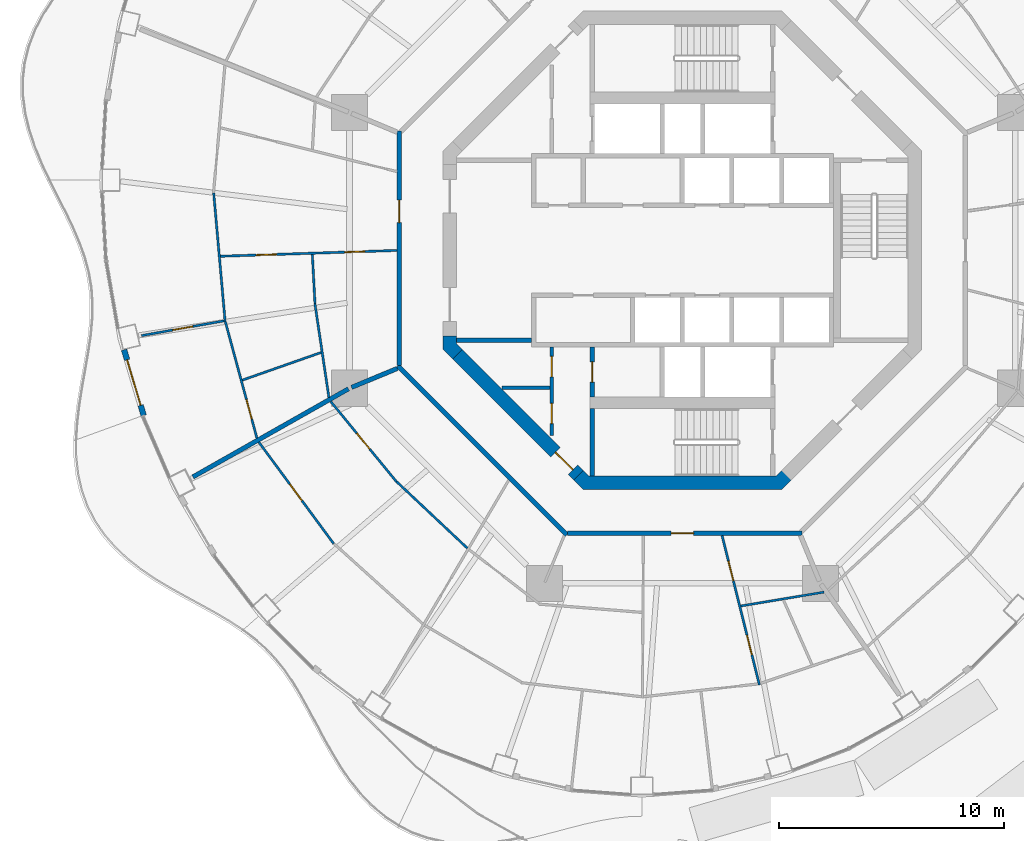
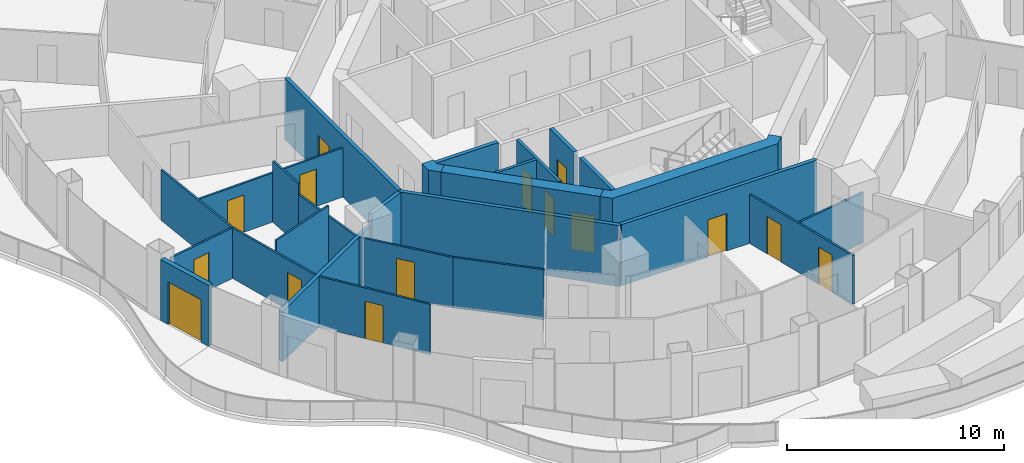
# One storey, part 10 of 18: 26 walls, 15 doors, 15 openings.
"""IFC4 building model written with IfcOpenShell, lengths in metres."""

from ifc_helpers import new_model, si_unit, direction, frame, frame_2d, origin, place, context, subcontext, project, spatial, polyline, rectangle, outline, extrude, material, layer, layer_set, type_object, element, fill, save


model = new_model("IFC4")

# Units and contexts
model_context = context("Model", 3, precision=1e-05, world=origin(), true_north=direction((0.0, 1.0)))
body_context = subcontext(model_context, "Body", "Model", "MODEL_VIEW")
ifc_project = project(units=[si_unit("LENGTHUNIT", "METRE"), si_unit("AREAUNIT", "SQUARE_METRE"), si_unit("VOLUMEUNIT", "CUBIC_METRE"), si_unit("PLANEANGLEUNIT", "RADIAN"), si_unit("MASSUNIT", "GRAM", prefix="KILO")], contexts=[model_context])

# Site, building, storey
site_placement = place(None, origin())
site = spatial("IfcSite", under=ifc_project, at=site_placement, CompositionType="ELEMENT")
building_placement = place(site_placement, origin())
building = spatial("IfcBuilding", under=site, at=building_placement, Name="Nagisa Residences", CompositionType="ELEMENT")
storey_placement = place(building_placement, frame((0.0, 0.0, 212.199951171875)))
storey = spatial("IfcBuildingStorey", under=building, at=storey_placement, Name="L53", CompositionType="ELEMENT", Elevation=212.199951171875)

# Walls
ifc_material_1 = material(Name="Gypsum board on steel studs", Category="steel")
ifc_layer_1 = layer(ifc_material_1, 0.199951171875)
ifc_layer_set_1 = layer_set([ifc_layer_1], Name="Apartment compartment wall EI60 200")
wall_type_1 = type_object("IfcWallType", Name="Apartment compartment wall EI60 200", PredefinedType="PARTITIONING", material=ifc_layer_set_1)
wall_1_placement = place(storey_placement, frame((-12.6572265625, -5.24267578125, 0.0), z_axis=(0.0, 0.0, 1.0), x_axis=(-0.923859888513, -0.38273085373, 0.0)))
element("IfcWall", 1, at=wall_1_placement, inside=storey, type_object=wall_type_1, Name="wall:L53:u04", PredefinedType="PARTITIONING", context=body_context, shape_type="SweptSolid", body=[
    extrude(rectangle(XDim=2.199462890625, YDim=0.199951171875, at=frame_2d((1.099609375, 0.0))), origin(), (0.0, 0.0, 1.0), 3.43994140625),
])
wall_2_placement = place(storey_placement, frame((-14.825439453125, -6.147705078125, 0.0), z_axis=(0.0, 0.0, 1.0), x_axis=(-0.870099576105, -0.492875975944, 0.0)))
element("IfcWall", 2, at=wall_2_placement, inside=storey, type_object=wall_type_1, Name="wall:L53:u05", PredefinedType="PARTITIONING", context=body_context, shape_type="SweptSolid", body=[
    extrude(rectangle(XDim=7.937255859375, YDim=0.199951171875, at=frame_2d((3.96875, 0.0))), origin(), (0.0, 0.0, 1.0), 2.837158203125),
])

# Wall, opening, door
ifc_material_2 = material(Name="Gypsum board on steel studs", Category="steel")
ifc_layer_2 = layer(ifc_material_2, 0.199951171875)
ifc_layer_set_2 = layer_set([ifc_layer_2], Name="Apartment entry wall EI60 200")
wall_type_2 = type_object("IfcWallType", Name="Apartment entry wall EI60 200", PredefinedType="PARTITIONING", material=ifc_layer_set_2)
wall_3_placement = place(storey_placement, frame((-12.564697265625, 5.304443359375, 0.0), z_axis=(0.0, 0.0, 1.0), x_axis=(0.0, -1.0, 0.0)))
wall_3 = element("IfcWall", 3, at=wall_3_placement, inside=storey, type_object=wall_type_2, Name="wall:L53:u12", PredefinedType="PARTITIONING", context=body_context, shape_type="SweptSolid", body=[
    extrude(rectangle(XDim=10.408935546875, YDim=0.199951171875, at=frame_2d((5.20458984375, 0.0))), origin(), (0.0, 0.0, 1.0), 3.43994140625),
])
opening_1_placement = place(wall_3_placement, frame((3.069580078125, 0.0, 0.0)))
opening_1 = element("IfcOpeningElement", 4, at=opening_1_placement, cuts=wall_3, Name="Opening L53-U20", PredefinedType="OPENING", context=body_context, shape_type="SweptSolid", body=[
    extrude(rectangle(XDim=1.0, YDim=2.10009765625, at=frame_2d((0.5, 1.050048828125))), frame((0.0, 0.10986328125, 0.0), z_axis=(0.0, -1.0, 0.0), x_axis=(1.0, 0.0, 0.0)), (0.0, 0.0, 1.0), 0.219970703125),
])
ifc_material_3 = material(Name="Timber fire door set", Category="wood")
door_type_1 = type_object("IfcDoorType", Name="Apartment entry door FD30S 1000x2100", OperationType="NOTDEFINED", PredefinedType="DOOR", material=ifc_material_3)
door_1_placement = place(opening_1_placement, frame((1.0, 0.0, 0.0), x_axis=(-1.0, 0.0, 0.0)))
door_1 = element("IfcDoor", 5, at=door_1_placement, inside=storey, type_object=door_type_1, Name="Entry door, Apartment 53B", OperationType="SINGLE_SWING_LEFT", OverallHeight=2.10009765625, OverallWidth=1.0, PredefinedType="DOOR", context=body_context, shape_type="SweptSolid", body=[
    extrude(rectangle(XDim=1.0, YDim=2.10009765625, at=frame_2d((0.5, 1.050048828125))), frame((0.0, 0.02490234375, 0.0), z_axis=(0.0, -1.0, 0.0), x_axis=(1.0, 0.0, 0.0)), (0.0, 0.0, 1.0), 0.050048828125),
])
fill(opening_1, door_1)

# Wall
wall_4_placement = place(storey_placement, frame((-12.635498046875, -5.1337890625, 0.0), z_axis=(0.0, 0.0, 1.0), x_axis=(0.707106781187, -0.707106781187, 0.0)))
element("IfcWall", 6, at=wall_4_placement, inside=storey, type_object=wall_type_2, Name="wall:L53:u13", PredefinedType="PARTITIONING", context=body_context, shape_type="SweptSolid", body=[
    extrude(rectangle(XDim=10.609130859375, YDim=0.199951171875, at=frame_2d((5.3046875, 0.0))), origin(), (0.0, 0.0, 1.0), 3.43994140625),
])

# Wall, opening, door
wall_5_placement = place(storey_placement, frame((-5.1044921875, -12.564697265625, 0.0), z_axis=(0.0, 0.0, 1.0), x_axis=(1.0, 0.0, 0.0)))
wall_5 = element("IfcWall", 7, at=wall_5_placement, inside=storey, type_object=wall_type_2, Name="wall:L53:u14", PredefinedType="PARTITIONING", context=body_context, shape_type="SweptSolid", body=[
    extrude(rectangle(XDim=10.408935546875, YDim=0.199951171875, at=frame_2d((5.20458984375, 0.0))), origin(), (0.0, 0.0, 1.0), 3.43994140625),
])
opening_2_placement = place(wall_5_placement, frame((4.6044921875, 0.0, 0.0)))
opening_2 = element("IfcOpeningElement", 8, at=opening_2_placement, cuts=wall_5, Name="Opening L53-U28", PredefinedType="OPENING", context=body_context, shape_type="SweptSolid", body=[
    extrude(rectangle(XDim=1.0, YDim=2.10009765625, at=frame_2d((0.5, 1.050048828125))), frame((0.0, 0.10986328125, 0.0), z_axis=(0.0, -1.0, 0.0), x_axis=(1.0, 0.0, 0.0)), (0.0, 0.0, 1.0), 0.219970703125),
])
door_2_placement = place(opening_2_placement, frame((1.0, 0.0, 0.0), x_axis=(-1.0, 0.0, 0.0)))
door_2 = element("IfcDoor", 9, at=door_2_placement, inside=storey, type_object=door_type_1, Name="Entry door, Apartment 53C", OperationType="SINGLE_SWING_LEFT", OverallHeight=2.10009765625, OverallWidth=1.0, PredefinedType="DOOR", context=body_context, shape_type="SweptSolid", body=[
    extrude(rectangle(XDim=1.0, YDim=2.10009765625, at=frame_2d((0.5, 1.050048828125))), frame((0.0, 0.02490234375, 0.0), z_axis=(0.0, -1.0, 0.0), x_axis=(1.0, 0.0, 0.0)), (0.0, 0.0, 1.0), 0.050048828125),
])
fill(opening_2, door_2)

# Wall
ifc_material_4 = material(Name="Gypsum board on steel studs", Category="steel")
ifc_layer_3 = layer(ifc_material_4, 0.10009765625)
ifc_layer_set_3 = layer_set([ifc_layer_3], Name="Apartment partition 100")
wall_type_3 = type_object("IfcWallType", Name="Apartment partition 100", PredefinedType="PARTITIONING", material=ifc_layer_set_3)
wall_6_placement = place(storey_placement, frame((-20.8095703125, 2.54248046875, 0.0), z_axis=(0.0, 0.0, 1.0), x_axis=(0.088651453697, -0.996062708748, 0.0)))
element("IfcWall", 10, at=wall_6_placement, inside=storey, type_object=wall_type_3, Name="wall:L53:u57", PredefinedType="PARTITIONING", context=body_context, shape_type="SweptSolid", body=[
    extrude(rectangle(XDim=5.736572265625, YDim=0.10009765625, at=frame_2d((2.8681640625, 0.0))), origin(), (0.0, 0.0, 1.0), 2.837158203125),
])

# Wall, openings, doors
wall_7_placement = place(storey_placement, frame((-12.664794921875, -0.00341796875, 0.0), z_axis=(0.0, 0.0, 1.0), x_axis=(-0.999453263957, -0.033063169315, 0.0)))
wall_7 = element("IfcWall", 11, at=wall_7_placement, inside=storey, type_object=wall_type_3, Name="wall:L53:u58", PredefinedType="PARTITIONING", context=body_context, shape_type="SweptSolid", body=[
    extrude(rectangle(XDim=7.849365234375, YDim=0.10009765625, at=frame_2d((3.9248046875, 0.0))), origin(), (0.0, 0.0, 1.0), 2.761962890625),
])
opening_3_placement = place(wall_7_placement, frame((1.435302734375, 0.0, 0.0)))
opening_3 = element("IfcOpeningElement", 12, at=opening_3_placement, cuts=wall_7, Name="Opening L53-U22", PredefinedType="OPENING", context=body_context, shape_type="SweptSolid", body=[
    extrude(rectangle(XDim=0.89990234375, YDim=2.10009765625, at=frame_2d((0.449951171875, 1.050048828125))), frame((0.0, 0.06005859375, 0.0), z_axis=(0.0, -1.0, 0.0), x_axis=(1.0, 0.0, 0.0)), (0.0, 0.0, 1.0), 0.1201171875),
])
opening_4_placement = place(wall_7_placement, frame((5.360107421875, 0.0, 0.0)))
opening_4 = element("IfcOpeningElement", 13, at=opening_4_placement, cuts=wall_7, Name="Opening L53-U24", PredefinedType="OPENING", context=body_context, shape_type="SweptSolid", body=[
    extrude(rectangle(XDim=0.89990234375, YDim=2.10009765625, at=frame_2d((0.449951171875, 1.050048828125))), frame((0.0, 0.06005859375, 0.0), z_axis=(0.0, -1.0, 0.0), x_axis=(1.0, 0.0, 0.0)), (0.0, 0.0, 1.0), 0.1201171875),
])
ifc_material_5 = material(Name="Timber door set", Category="wood")
door_type_2 = type_object("IfcDoorType", Name="Apartment door 900x2100", OperationType="NOTDEFINED", PredefinedType="DOOR", material=ifc_material_5)
door_3_placement = place(opening_3_placement, origin())
door_3 = element("IfcDoor", 14, at=door_3_placement, inside=storey, type_object=door_type_2, Name="Door to laundry, Apartment 53B", OperationType="SINGLE_SWING_RIGHT", OverallHeight=2.10009765625, OverallWidth=0.89990234375, PredefinedType="DOOR", context=body_context, shape_type="SweptSolid", body=[
    extrude(rectangle(XDim=0.89990234375, YDim=2.10009765625, at=frame_2d((0.449951171875, 1.050048828125))), frame((0.0, 0.02490234375, 0.0), z_axis=(0.0, -1.0, 0.0), x_axis=(1.0, 0.0, 0.0)), (0.0, 0.0, 1.0), 0.050048828125),
])
fill(opening_3, door_3)
door_4_placement = place(opening_4_placement, origin())
door_4 = element("IfcDoor", 15, at=door_4_placement, inside=storey, type_object=door_type_2, Name="Door to kitchen, Apartment 53B", OperationType="SINGLE_SWING_RIGHT", OverallHeight=2.10009765625, OverallWidth=0.89990234375, PredefinedType="DOOR", context=body_context, shape_type="SweptSolid", body=[
    extrude(rectangle(XDim=0.89990234375, YDim=2.10009765625, at=frame_2d((0.449951171875, 1.050048828125))), frame((0.0, 0.02490234375, 0.0), z_axis=(0.0, -1.0, 0.0), x_axis=(1.0, 0.0, 0.0)), (0.0, 0.0, 1.0), 0.050048828125),
])
fill(opening_4, door_4)

# Walls
wall_8_placement = place(storey_placement, frame((-16.4306640625, -0.177978515625, 0.0), z_axis=(0.0, 0.0, 1.0), x_axis=(0.053951127036, -0.998543577362, 0.0)))
element("IfcWall", 16, at=wall_8_placement, inside=storey, type_object=wall_type_3, Name="wall:L53:u59", PredefinedType="PARTITIONING", context=body_context, shape_type="SweptSolid", body=[
    extrude(rectangle(XDim=2.18115234375, YDim=0.10009765625, at=frame_2d((1.090576171875, 0.0))), origin(), (0.0, 0.0, 1.0), 3.43994140625),
])
wall_9_placement = place(storey_placement, frame((-16.317626953125, -2.3564453125, 0.0), z_axis=(0.0, 0.0, 1.0), x_axis=(0.147684413341, -0.989034536331, 0.0)))
element("IfcWall", 17, at=wall_9_placement, inside=storey, type_object=wall_type_3, Name="wall:L53:u60", PredefinedType="PARTITIONING", context=body_context, shape_type="SweptSolid", body=[
    extrude(rectangle(XDim=4.22216796875, YDim=0.10009765625, at=frame_2d((2.111083984375, 0.0))), origin(), (0.0, 0.0, 1.0), 2.837158203125),
])

# Wall, opening, door
wall_10_placement = place(storey_placement, frame((-20.354736328125, -3.13037109375, 0.0), z_axis=(0.0, 0.0, 1.0), x_axis=(-0.984331377639, -0.1763284974, 0.0)))
wall_10 = element("IfcWall", 18, at=wall_10_placement, inside=storey, type_object=wall_type_3, Name="wall:L53:u61", PredefinedType="PARTITIONING", context=body_context, shape_type="SweptSolid", body=[
    extrude(rectangle(XDim=3.72314453125, YDim=0.10009765625, at=frame_2d((1.861572265625, 0.0))), origin(), (0.0, 0.0, 1.0), 2.837158203125),
])
opening_5_placement = place(wall_10_placement, frame((1.41162109375, 0.0, 0.0)))
opening_5 = element("IfcOpeningElement", 19, at=opening_5_placement, cuts=wall_10, Name="Opening L53-U26", PredefinedType="OPENING", context=body_context, shape_type="SweptSolid", body=[
    extrude(rectangle(XDim=0.89990234375, YDim=2.10009765625, at=frame_2d((0.449951171875, 1.050048828125))), frame((0.0, 0.06005859375, 0.0), z_axis=(0.0, -1.0, 0.0), x_axis=(1.0, 0.0, 0.0)), (0.0, 0.0, 1.0), 0.1201171875),
])
door_5_placement = place(opening_5_placement, origin())
door_5 = element("IfcDoor", 20, at=door_5_placement, inside=storey, type_object=door_type_2, Name="Door to bedroom, Apartment 53B", OperationType="SINGLE_SWING_RIGHT", OverallHeight=2.10009765625, OverallWidth=0.89990234375, PredefinedType="DOOR", context=body_context, shape_type="SweptSolid", body=[
    extrude(rectangle(XDim=0.89990234375, YDim=2.10009765625, at=frame_2d((0.449951171875, 1.050048828125))), frame((0.0, 0.02490234375, 0.0), z_axis=(0.0, -1.0, 0.0), x_axis=(1.0, 0.0, 0.0)), (0.0, 0.0, 1.0), 0.050048828125),
])
fill(opening_5, door_5)

wall_11_placement = place(storey_placement, frame((-20.29248046875, -3.169677734375, 0.0), z_axis=(0.0, 0.0, 1.0), x_axis=(0.26187906236, -0.965100697698, 0.0)))
wall_11 = element("IfcWall", 21, at=wall_11_placement, inside=storey, type_object=wall_type_3, Name="wall:L53:u62", PredefinedType="PARTITIONING", context=body_context, shape_type="SweptSolid", body=[
    extrude(rectangle(XDim=5.35595703125, YDim=0.10009765625, at=frame_2d((2.677978515625, 0.0))), origin(), (0.0, 0.0, 1.0), 2.837158203125),
])
opening_6_placement = place(wall_11_placement, frame((3.579345703125, 0.0, 0.0)))
opening_6 = element("IfcOpeningElement", 22, at=opening_6_placement, cuts=wall_11, Name="Opening L53-U27", PredefinedType="OPENING", context=body_context, shape_type="SweptSolid", body=[
    extrude(rectangle(XDim=0.89990234375, YDim=2.10009765625, at=frame_2d((0.449951171875, 1.050048828125))), frame((0.0, 0.06005859375, 0.0), z_axis=(0.0, -1.0, 0.0), x_axis=(1.0, 0.0, 0.0)), (0.0, 0.0, 1.0), 0.1201171875),
])
door_6_placement = place(opening_6_placement, origin())
door_6 = element("IfcDoor", 23, at=door_6_placement, inside=storey, type_object=door_type_2, Name="Door to en-suite bathroom, Apartment 53B", OperationType="SINGLE_SWING_LEFT", OverallHeight=2.10009765625, OverallWidth=0.89990234375, PredefinedType="DOOR", context=body_context, shape_type="SweptSolid", body=[
    extrude(rectangle(XDim=0.89990234375, YDim=2.10009765625, at=frame_2d((0.449951171875, 1.050048828125))), frame((0.0, 0.02490234375, 0.0), z_axis=(0.0, -1.0, 0.0), x_axis=(1.0, 0.0, 0.0)), (0.0, 0.0, 1.0), 0.050048828125),
])
fill(opening_6, door_6)

# Wall
wall_12_placement = place(storey_placement, frame((-16.0419921875, -4.53515625, 0.0), z_axis=(0.0, 0.0, 1.0), x_axis=(-0.94358986717, -0.331116539265, 0.0)))
element("IfcWall", 24, at=wall_12_placement, inside=storey, type_object=wall_type_3, Name="wall:L53:u63", PredefinedType="PARTITIONING", context=body_context, shape_type="SweptSolid", body=[
    extrude(rectangle(XDim=3.704345703125, YDim=0.10009765625, at=frame_2d((1.85205078125, 0.0))), origin(), (0.0, 0.0, 1.0), 3.43994140625),
])

# Wall, opening, door
wall_13_placement = place(storey_placement, frame((-15.615966796875, -6.70849609375, 0.0), z_axis=(0.0, 0.0, 1.0), x_axis=(0.634076422357, -0.773270386483, 0.0)))
wall_13 = element("IfcWall", 25, at=wall_13_placement, inside=storey, type_object=wall_type_3, Name="wall:L53:u64", PredefinedType="PARTITIONING", context=body_context, shape_type="SweptSolid", body=[
    extrude(rectangle(XDim=4.611083984375, YDim=0.10009765625, at=frame_2d((2.3056640625, 0.0))), origin(), (0.0, 0.0, 1.0), 2.837158203125),
])
opening_7_placement = place(wall_13_placement, frame((1.83056640625, 0.0, 0.0)))
opening_7 = element("IfcOpeningElement", 26, at=opening_7_placement, cuts=wall_13, Name="Opening L53-U40", PredefinedType="OPENING", context=body_context, shape_type="SweptSolid", body=[
    extrude(rectangle(XDim=0.89990234375, YDim=2.10009765625, at=frame_2d((0.449951171875, 1.050048828125))), frame((0.0, 0.06005859375, 0.0), z_axis=(0.0, -1.0, 0.0), x_axis=(1.0, 0.0, 0.0)), (0.0, 0.0, 1.0), 0.1201171875),
])
door_7_placement = place(opening_7_placement, origin())
door_7 = element("IfcDoor", 27, at=door_7_placement, inside=storey, type_object=door_type_2, Name="Door to store, Apartment 53C", OperationType="SINGLE_SWING_RIGHT", OverallHeight=2.10009765625, OverallWidth=0.89990234375, PredefinedType="DOOR", context=body_context, shape_type="SweptSolid", body=[
    extrude(rectangle(XDim=0.89990234375, YDim=2.10009765625, at=frame_2d((0.449951171875, 1.050048828125))), frame((0.0, 0.02490234375, 0.0), z_axis=(0.0, -1.0, 0.0), x_axis=(1.0, 0.0, 0.0)), (0.0, 0.0, 1.0), 0.050048828125),
])
fill(opening_7, door_7)

wall_14_placement = place(storey_placement, frame((-18.804443359375, -8.515625, 0.0), z_axis=(0.0, 0.0, 1.0), x_axis=(0.593249583583, -0.805018590828, 0.0)))
wall_14 = element("IfcWall", 28, at=wall_14_placement, inside=storey, type_object=wall_type_3, Name="wall:L53:u65", PredefinedType="PARTITIONING", context=body_context, shape_type="SweptSolid", body=[
    extrude(rectangle(XDim=5.601806640625, YDim=0.10009765625, at=frame_2d((2.80078125, 0.0))), origin(), (0.0, 0.0, 1.0), 2.837158203125),
])
opening_8_placement = place(wall_14_placement, frame((2.325927734375, 0.0, 0.0)))
opening_8 = element("IfcOpeningElement", 29, at=opening_8_placement, cuts=wall_14, Name="Opening L53-U39", PredefinedType="OPENING", context=body_context, shape_type="SweptSolid", body=[
    extrude(rectangle(XDim=0.89990234375, YDim=2.10009765625, at=frame_2d((0.449951171875, 1.050048828125))), frame((0.0, 0.06005859375, 0.0), z_axis=(0.0, -1.0, 0.0), x_axis=(1.0, 0.0, 0.0)), (0.0, 0.0, 1.0), 0.1201171875),
])
door_8_placement = place(opening_8_placement, frame((0.89990234375, 0.0, 0.0), x_axis=(-1.0, 0.0, 0.0)))
door_8 = element("IfcDoor", 30, at=door_8_placement, inside=storey, type_object=door_type_2, Name="Door to family room, Apartment 53C", OperationType="SINGLE_SWING_RIGHT", OverallHeight=2.10009765625, OverallWidth=0.89990234375, PredefinedType="DOOR", context=body_context, shape_type="SweptSolid", body=[
    extrude(rectangle(XDim=0.89990234375, YDim=2.10009765625, at=frame_2d((0.449951171875, 1.050048828125))), frame((0.0, 0.02490234375, 0.0), z_axis=(0.0, -1.0, 0.0), x_axis=(1.0, 0.0, 0.0)), (0.0, 0.0, 1.0), 0.050048828125),
])
fill(opening_8, door_8)

# Wall
wall_15_placement = place(storey_placement, frame((-12.6875, -10.269775390625, 0.0), z_axis=(0.0, 0.0, 1.0), x_axis=(0.728268142903, -0.685292282192, 0.0)))
element("IfcWall", 31, at=wall_15_placement, inside=storey, type_object=wall_type_3, Name="wall:L53:u66", PredefinedType="PARTITIONING", context=body_context, shape_type="SweptSolid", body=[
    extrude(rectangle(XDim=4.311767578125, YDim=0.10009765625, at=frame_2d((2.15576171875, 0.0))), origin(), (0.0, 0.0, 1.0), 2.837158203125),
])

# Wall, openings, doors
wall_16_placement = place(storey_placement, frame((1.759033203125, -12.661865234375, 0.0), z_axis=(0.0, 0.0, 1.0), x_axis=(0.242653275363, -0.970113079984, 0.0)))
wall_16 = element("IfcWall", 32, at=wall_16_placement, inside=storey, type_object=wall_type_3, Name="wall:L53:u78", PredefinedType="PARTITIONING", context=body_context, shape_type="SweptSolid", body=[
    extrude(rectangle(XDim=6.835693359375, YDim=0.10009765625, at=frame_2d((3.41796875, 0.0))), origin(), (0.0, 0.0, 1.0), 2.761962890625),
])
opening_9_placement = place(wall_16_placement, frame((1.166015625, 0.0, 0.0)))
opening_9 = element("IfcOpeningElement", 33, at=opening_9_placement, cuts=wall_16, Name="Opening L53-U30", PredefinedType="OPENING", context=body_context, shape_type="SweptSolid", body=[
    extrude(rectangle(XDim=0.89990234375, YDim=2.10009765625, at=frame_2d((0.449951171875, 1.050048828125))), frame((0.0, 0.06005859375, 0.0), z_axis=(0.0, -1.0, 0.0), x_axis=(1.0, 0.0, 0.0)), (0.0, 0.0, 1.0), 0.1201171875),
])
opening_10_placement = place(wall_16_placement, frame((4.558837890625, 0.0, 0.0)))
opening_10 = element("IfcOpeningElement", 34, at=opening_10_placement, cuts=wall_16, Name="Opening L53-U32", PredefinedType="OPENING", context=body_context, shape_type="SweptSolid", body=[
    extrude(rectangle(XDim=0.89990234375, YDim=2.10009765625, at=frame_2d((0.449951171875, 1.050048828125))), frame((0.0, 0.06005859375, 0.0), z_axis=(0.0, -1.0, 0.0), x_axis=(1.0, 0.0, 0.0)), (0.0, 0.0, 1.0), 0.1201171875),
])
door_9_placement = place(opening_9_placement, origin())
door_9 = element("IfcDoor", 35, at=door_9_placement, inside=storey, type_object=door_type_2, Name="Door to family bathroom, Apartment 53C", OperationType="SINGLE_SWING_RIGHT", OverallHeight=2.10009765625, OverallWidth=0.89990234375, PredefinedType="DOOR", context=body_context, shape_type="SweptSolid", body=[
    extrude(rectangle(XDim=0.89990234375, YDim=2.10009765625, at=frame_2d((0.449951171875, 1.050048828125))), frame((0.0, 0.02490234375, 0.0), z_axis=(0.0, -1.0, 0.0), x_axis=(1.0, 0.0, 0.0)), (0.0, 0.0, 1.0), 0.050048828125),
])
fill(opening_9, door_9)
door_10_placement = place(opening_10_placement, origin())
door_10 = element("IfcDoor", 36, at=door_10_placement, inside=storey, type_object=door_type_2, Name="Door to family bathroom, Apartment 53C", OperationType="SINGLE_SWING_RIGHT", OverallHeight=2.10009765625, OverallWidth=0.89990234375, PredefinedType="DOOR", context=body_context, shape_type="SweptSolid", body=[
    extrude(rectangle(XDim=0.89990234375, YDim=2.10009765625, at=frame_2d((0.449951171875, 1.050048828125))), frame((0.0, 0.02490234375, 0.0), z_axis=(0.0, -1.0, 0.0), x_axis=(1.0, 0.0, 0.0)), (0.0, 0.0, 1.0), 0.050048828125),
])
fill(opening_10, door_10)

# Wall
wall_17_placement = place(storey_placement, frame((2.592529296875, -15.788818359375, 0.0), z_axis=(0.0, 0.0, 1.0), x_axis=(0.986385117656, 0.164451815639, 0.0)))
element("IfcWall", 37, at=wall_17_placement, inside=storey, type_object=wall_type_3, Name="wall:L53:u79", PredefinedType="PARTITIONING", context=body_context, shape_type="SweptSolid", body=[
    extrude(rectangle(XDim=3.7470703125, YDim=0.10009765625, at=frame_2d((1.87353515625, 0.0))), origin(), (0.0, 0.0, 1.0), 2.837158203125),
])

# Wall, opening, door
ifc_material_6 = material(Name="Precast concrete C40/50", Category="concrete")
ifc_layer_4 = layer(ifc_material_6, 0.25)
ifc_layer_set_4 = layer_set([ifc_layer_4], Name="BALCONY DOOR WALL 250")
wall_type_4 = type_object("IfcWallType", Name="BALCONY DOOR WALL 250", PredefinedType="SOLIDWALL", material=ifc_layer_set_4)
wall_18_placement = place(storey_placement, frame((-23.91796875, -7.328369140625, 0.0), z_axis=(0.0, 0.0, 1.0), x_axis=(-0.285859454825, 0.95827155446, 0.0)))
wall_18 = element("IfcWall", 38, at=wall_18_placement, inside=storey, type_object=wall_type_4, Name="wall:L53:bay26", PredefinedType="SOLIDWALL", context=body_context, shape_type="SweptSolid", body=[
    extrude(rectangle(XDim=3.04052734375, YDim=0.25, at=frame_2d((1.520263671875, 0.0))), origin(), (0.0, 0.0, 1.0), 3.43994140625),
])
opening_11_placement = place(wall_18_placement, frame((0.47021484375, 0.0, 0.0)))
opening_11 = element("IfcOpeningElement", 39, at=opening_11_placement, cuts=wall_18, Name="Opening BD-L53-09", PredefinedType="OPENING", context=body_context, shape_type="SweptSolid", body=[
    extrude(rectangle(XDim=2.10009765625, YDim=2.39990234375, at=frame_2d((1.050048828125, 1.199951171875))), frame((0.0, 0.135009765625, 0.0), z_axis=(0.0, -1.0, 0.0), x_axis=(1.0, 0.0, 0.0)), (0.0, 0.0, 1.0), 0.27001953125),
])
ifc_material_7 = material(Name="Aluminium and clear glass", Category="aluminium")
door_type_3 = type_object("IfcDoorType", Name="BALCONY SLIDING DOOR 2100x2400", OperationType="SLIDING_TO_LEFT", PredefinedType="DOOR", material=ifc_material_7)
door_11_placement = place(opening_11_placement, origin())
door_11 = element("IfcDoor", 40, at=door_11_placement, inside=storey, type_object=door_type_3, Name="door:L53:bay26", OperationType="SLIDING_TO_LEFT", OverallHeight=2.39990234375, OverallWidth=2.10009765625, PredefinedType="DOOR", context=body_context, shape_type="SweptSolid", body=[
    extrude(rectangle(XDim=2.10009765625, YDim=2.39990234375, at=frame_2d((1.050048828125, 1.199951171875))), frame((0.0, 0.02490234375, 0.0), z_axis=(0.0, -1.0, 0.0), x_axis=(1.0, 0.0, 0.0)), (0.0, 0.0, 1.0), 0.050048828125),
])
fill(opening_11, door_11)

# Wall, openings, doors
ifc_material_8 = material(Name="Gypsum board on steel studs", Category="steel")
ifc_layer_5 = layer(ifc_material_8, 0.14990234375)
ifc_layer_set_5 = layer_set([ifc_layer_5], Name="Core partition 150")
wall_type_5 = type_object("IfcWallType", Name="Core partition 150", PredefinedType="PARTITIONING", material=ifc_layer_set_5)
wall_19_placement = place(storey_placement, frame((-5.800048828125, -8.22705078125, 0.0), z_axis=(0.0, 0.0, 1.0), x_axis=(0.0, 1.0, 0.0)))
wall_19 = element("IfcWall", 41, at=wall_19_placement, inside=storey, type_object=wall_type_5, Name="wall:L53:SWp", PredefinedType="PARTITIONING", context=body_context, shape_type="SweptSolid", body=[
    extrude(rectangle(XDim=3.927001953125, YDim=0.14990234375, at=frame_2d((1.96337890625, 0.0))), origin(), (0.0, 0.0, 1.0), 3.43994140625),
])
opening_12_placement = place(wall_19_placement, frame((2.614501953125, 0.0, 0.0)))
opening_12 = element("IfcOpeningElement", 42, at=opening_12_placement, cuts=wall_19, Name="Opening L53-C12", PredefinedType="OPENING", context=body_context, shape_type="SweptSolid", body=[
    extrude(rectangle(XDim=0.89990234375, YDim=2.10009765625, at=frame_2d((0.449951171875, 1.050048828125))), frame((0.0, 0.0849609375, 0.0), z_axis=(0.0, -1.0, 0.0), x_axis=(1.0, 0.0, 0.0)), (0.0, 0.0, 1.0), 0.169921875),
])
opening_13_placement = place(wall_19_placement, frame((0.53857421875, 0.0, 0.0)))
opening_13 = element("IfcOpeningElement", 43, at=opening_13_placement, cuts=wall_19, Name="Opening L53-C13", PredefinedType="OPENING", context=body_context, shape_type="SweptSolid", body=[
    extrude(rectangle(XDim=0.89990234375, YDim=2.10009765625, at=frame_2d((0.449951171875, 1.050048828125))), frame((0.0, 0.0849609375, 0.0), z_axis=(0.0, -1.0, 0.0), x_axis=(1.0, 0.0, 0.0)), (0.0, 0.0, 1.0), 0.169921875),
])
ifc_material_9 = material(Name="Steel fire door", Category="steel")
door_type_4 = type_object("IfcDoorType", Name="Fire door EI30 900x2100 single swing", OperationType="NOTDEFINED", PredefinedType="DOOR", material=ifc_material_9)
door_12_placement = place(opening_12_placement, origin())
door_12 = element("IfcDoor", 44, at=door_12_placement, inside=storey, type_object=door_type_4, Name="Valet store door L53", OperationType="SINGLE_SWING_LEFT", OverallHeight=2.10009765625, OverallWidth=0.89990234375, PredefinedType="DOOR", context=body_context, shape_type="SweptSolid", body=[
    extrude(rectangle(XDim=0.89990234375, YDim=2.10009765625, at=frame_2d((0.449951171875, 1.050048828125))), frame((0.0, 0.02490234375, 0.0), z_axis=(0.0, -1.0, 0.0), x_axis=(1.0, 0.0, 0.0)), (0.0, 0.0, 1.0), 0.050048828125),
])
fill(opening_12, door_12)
door_13_placement = place(opening_13_placement, origin())
door_13 = element("IfcDoor", 45, at=door_13_placement, inside=storey, type_object=door_type_4, Name="Staff WC door L53", OperationType="SINGLE_SWING_LEFT", OverallHeight=2.10009765625, OverallWidth=0.89990234375, PredefinedType="DOOR", context=body_context, shape_type="SweptSolid", body=[
    extrude(rectangle(XDim=0.89990234375, YDim=2.10009765625, at=frame_2d((0.449951171875, 1.050048828125))), frame((0.0, 0.02490234375, 0.0), z_axis=(0.0, -1.0, 0.0), x_axis=(1.0, 0.0, 0.0)), (0.0, 0.0, 1.0), 0.050048828125),
])
fill(opening_13, door_13)

# Walls
wall_20_placement = place(storey_placement, frame((-8.0009765625, -6.10009765625, 0.0), z_axis=(0.0, 0.0, 1.0), x_axis=(1.0, 0.0, 0.0)))
element("IfcWall", 46, at=wall_20_placement, inside=storey, type_object=wall_type_5, Name="wall:L53:SWq", PredefinedType="PARTITIONING", context=body_context, shape_type="SweptSolid", body=[
    extrude(rectangle(XDim=2.1259765625, YDim=0.14990234375, at=frame_2d((1.06298828125, 0.0))), origin(), (0.0, 0.0, 1.0), 3.43994140625),
])
ifc_material_10 = material(Name="Gypsum board on steel studs", Category="steel")
ifc_layer_6 = layer(ifc_material_10, 0.199951171875)
ifc_layer_set_6 = layer_set([ifc_layer_6], Name="Core partition 200")
wall_type_6 = type_object("IfcWallType", Name="Core partition 200", PredefinedType="PARTITIONING", material=ifc_layer_set_6)
wall_21_placement = place(storey_placement, frame((-10.024658203125, -4.0, 0.0), z_axis=(0.0, 0.0, 1.0), x_axis=(1.0, 0.0, 0.0)))
element("IfcWall", 47, at=wall_21_placement, inside=storey, type_object=wall_type_6, Name="wall:L53:PSW", PredefinedType="PARTITIONING", context=body_context, shape_type="SweptSolid", body=[
    extrude(rectangle(XDim=3.32470703125, YDim=0.199951171875, at=frame_2d((1.662353515625, 0.0))), origin(), (0.0, 0.0, 1.0), 3.43994140625),
])

# Wall, opening, door
ifc_material_11 = material(Name="Concrete C60", Category="concrete")
ifc_layer_7 = layer(ifc_material_11, 0.60009765625)
ifc_layer_set_7 = layer_set([ifc_layer_7], Name="Core shear wall 600")
wall_type_7 = type_object("IfcWallType", Name="Core shear wall 600", PredefinedType="SHEAR", material=ifc_layer_set_7)
wall_22_placement = place(storey_placement, frame((-9.98828125, -4.613037109375, 0.0), z_axis=(0.0, 0.0, 1.0), x_axis=(0.707106781187, -0.707106781187, 0.0)))
wall_22 = element("IfcWall", 48, at=wall_22_placement, inside=storey, type_object=wall_type_7, Name="wall:L53:core:flat5", PredefinedType="SHEAR", context=body_context, shape_type="SweptSolid", body=[
    extrude(rectangle(XDim=7.601806640625, YDim=0.60009765625, at=frame_2d((3.80078125, 0.0))), origin(), (0.0, 0.0, 1.0), 3.43994140625),
])
opening_14_placement = place(wall_22_placement, frame((6.15087890625, 0.0, 0.0)))
opening_14 = element("IfcOpeningElement", 49, at=opening_14_placement, cuts=wall_22, Name="Opening L53-C23", PredefinedType="OPENING", context=body_context, shape_type="SweptSolid", body=[
    extrude(rectangle(XDim=1.10009765625, YDim=2.10009765625, at=frame_2d((0.550048828125, 1.050048828125))), frame((0.0, 0.31005859375, 0.0), z_axis=(0.0, -1.0, 0.0), x_axis=(1.0, 0.0, 0.0)), (0.0, 0.0, 1.0), 0.6201171875),
])
ifc_material_12 = material(Name="Steel fire door", Category="steel")
door_type_5 = type_object("IfcDoorType", Name="Fire door EI60 1100x2100 single swing", OperationType="NOTDEFINED", PredefinedType="DOOR", material=ifc_material_12)
door_14_placement = place(opening_14_placement, origin())
door_14 = element("IfcDoor", 50, at=door_14_placement, inside=storey, type_object=door_type_5, Name="Housekeeping lobby door L53", OperationType="SINGLE_SWING_LEFT", OverallHeight=2.10009765625, OverallWidth=1.10009765625, PredefinedType="DOOR", context=body_context, shape_type="SweptSolid", body=[
    extrude(rectangle(XDim=1.10009765625, YDim=2.10009765625, at=frame_2d((0.550048828125, 1.050048828125))), frame((0.0, 0.02490234375, 0.0), z_axis=(0.0, -1.0, 0.0), x_axis=(1.0, 0.0, 0.0)), (0.0, 0.0, 1.0), 0.050048828125),
])
fill(opening_14, door_14)

# Walls
wall_23_placement = place(storey_placement, origin())
element("IfcWall", 51, at=wall_23_placement, inside=storey, type_object=wall_type_7, Name="wall:L53:core:pier4", PredefinedType="SHEAR", context=body_context, shape_type="SweptSolid", body=[
    extrude(outline(polyline([(-10.62451171875, -3.80078125), (-10.024658203125, -3.80078125), (-10.024658203125, -4.15234375), (-9.776123046875, -4.40087890625), (-10.200439453125, -4.8251953125), (-10.62451171875, -4.40087890625), (-10.62451171875, -3.80078125)])), origin(), (0.0, 0.0, 1.0), 3.43994140625),
])
wall_24_placement = place(storey_placement, origin())
element("IfcWall", 52, at=wall_24_placement, inside=storey, type_object=wall_type_7, Name="wall:L53:core:flat6", PredefinedType="SHEAR", context=body_context, shape_type="SweptSolid", body=[
    extrude(outline(polyline([(-4.15234375, -10.024658203125), (4.15234375, -10.024658203125), (4.40087890625, -9.776123046875), (4.8251953125, -10.200439453125), (4.40087890625, -10.62451171875), (-4.40087890625, -10.62451171875), (-4.8251953125, -10.200439453125), (-4.40087890625, -9.776123046875), (-4.15234375, -10.024658203125)])), origin(), (0.0, 0.0, 1.0), 3.43994140625),
])

# Wall, opening, door
ifc_material_13 = material(Name="Concrete C60", Category="concrete")
ifc_layer_8 = layer(ifc_material_13, 0.199951171875)
ifc_layer_set_8 = layer_set([ifc_layer_8], Name="Lift shaft wall 200")
wall_type_8 = type_object("IfcWallType", Name="Lift shaft wall 200", PredefinedType="SOLIDWALL", material=ifc_layer_set_8)
wall_25_placement = place(storey_placement, frame((-4.0, -6.5, 0.0), z_axis=(0.0, 0.0, 1.0), x_axis=(0.0, 1.0, 0.0)))
wall_25 = element("IfcWall", 53, at=wall_25_placement, inside=storey, type_object=wall_type_8, Name="wall:L53:Sb4", PredefinedType="SOLIDWALL", context=body_context, shape_type="SweptSolid", body=[
    extrude(rectangle(XDim=2.199951171875, YDim=0.199951171875, at=frame_2d((1.10009765625, 0.0))), origin(), (0.0, 0.0, 1.0), 3.43994140625),
])
opening_15_placement = place(wall_25_placement, frame((0.64990234375, 0.0, 0.0)))
opening_15 = element("IfcOpeningElement", 54, at=opening_15_placement, cuts=wall_25, Name="Opening L53-C14", PredefinedType="OPENING", context=body_context, shape_type="SweptSolid", body=[
    extrude(rectangle(XDim=0.89990234375, YDim=2.10009765625, at=frame_2d((0.449951171875, 1.050048828125))), frame((0.0, 0.10986328125, 0.0), z_axis=(0.0, -1.0, 0.0), x_axis=(1.0, 0.0, 0.0)), (0.0, 0.0, 1.0), 0.219970703125),
])
door_15_placement = place(opening_15_placement, frame((0.89990234375, 0.0, 0.0), x_axis=(-1.0, 0.0, 0.0)))
door_15 = element("IfcDoor", 55, at=door_15_placement, inside=storey, type_object=door_type_4, Name="Refuse room door L53", OperationType="SINGLE_SWING_RIGHT", OverallHeight=2.10009765625, OverallWidth=0.89990234375, PredefinedType="DOOR", context=body_context, shape_type="SweptSolid", body=[
    extrude(rectangle(XDim=0.89990234375, YDim=2.10009765625, at=frame_2d((0.449951171875, 1.050048828125))), frame((0.0, 0.02490234375, 0.0), z_axis=(0.0, -1.0, 0.0), x_axis=(1.0, 0.0, 0.0)), (0.0, 0.0, 1.0), 0.050048828125),
])
fill(opening_15, door_15)

# Wall
ifc_material_14 = material(Name="Concrete C60", Category="concrete")
ifc_layer_9 = layer(ifc_material_14, 0.199951171875)
ifc_layer_set_9 = layer_set([ifc_layer_9], Name="Stair enclosure wall 200")
wall_type_9 = type_object("IfcWallType", Name="Stair enclosure wall 200", PredefinedType="SOLIDWALL", material=ifc_layer_set_9)
wall_26_placement = place(storey_placement, origin())
element("IfcWall", 56, at=wall_26_placement, inside=storey, type_object=wall_type_9, Name="wall:L53:SS_w", PredefinedType="SOLIDWALL", context=body_context, shape_type="SweptSolid", body=[
    extrude(outline(polyline([(-3.89990234375, -10.024658203125), (-4.10009765625, -10.024658203125), (-4.10009765625, -7.024658203125), (-3.89990234375, -7.024658203125), (-3.89990234375, -10.024658203125)])), origin(), (0.0, 0.0, 1.0), 3.43994140625),
])

save(model, "model.ifc")
